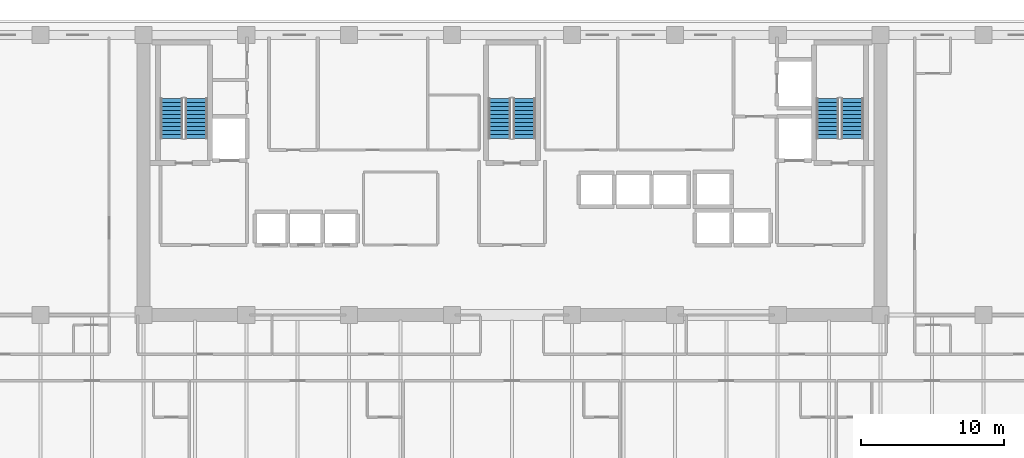
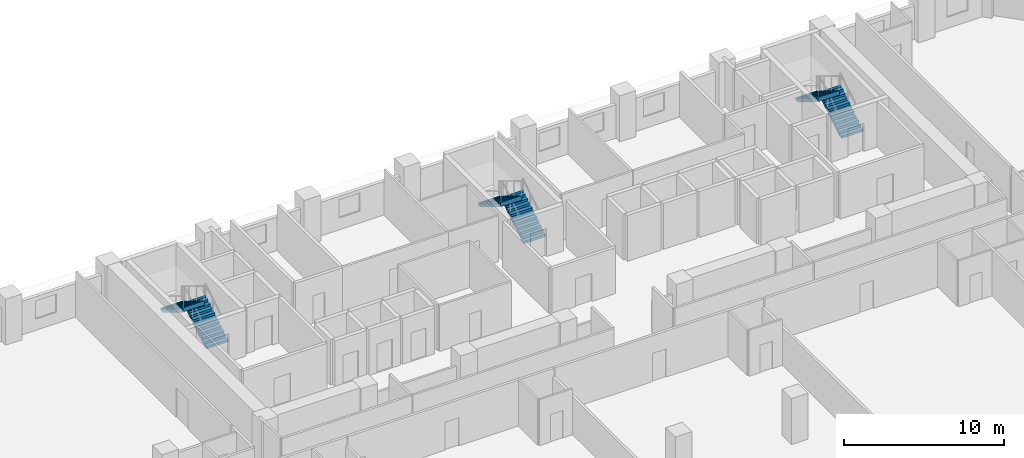
# One storey, part 10 of 14: 6 stair flights, 3 elements without a shape of their own.
"""IFC4 building model written with IfcOpenShell, lengths in metres."""

from ifc_helpers import new_model, si_unit, direction, frame, origin, place, context, subcontext, project, spatial, polyline, outline, extrude, material, type_object, element, aggregate, save


model = new_model("IFC4")

# Units and contexts
model_context = context("Model", 3, precision=1e-05, world=origin(), true_north=direction((0.0, 1.0)))
body_context = subcontext(model_context, "Body", "Model", "MODEL_VIEW")
ifc_project = project(units=[si_unit("LENGTHUNIT", "METRE"), si_unit("AREAUNIT", "SQUARE_METRE"), si_unit("VOLUMEUNIT", "CUBIC_METRE"), si_unit("PLANEANGLEUNIT", "RADIAN"), si_unit("MASSUNIT", "GRAM", prefix="KILO")], contexts=[model_context])

# Site, building, storey
site_placement = place(None, origin())
site = spatial("IfcSite", under=ifc_project, at=site_placement, CompositionType="ELEMENT")
building_placement = place(site_placement, origin())
building = spatial("IfcBuilding", under=site, at=building_placement, Name="Kaelvorn Grand Hotel", CompositionType="ELEMENT")
storey_placement = place(building_placement, frame((0.0, 0.0, 119.300048828125)))
storey = spatial("IfcBuildingStorey", under=building, at=storey_placement, Name="L28", CompositionType="ELEMENT", Elevation=119.300048828125)

# Stair, stair flights
ifc_material = material(Name="Concrete C40/50", Category="concrete")
stair_type = type_object("IfcStairType", Name="STR-DOG-1560-R06", PredefinedType="HALF_TURN_STAIR", material=ifc_material)
stair_1_placement = place(storey_placement, origin())
stair_1 = element("IfcStair", 1, at=stair_1_placement, inside=storey, type_object=stair_type, Name="L28 West Core Exit Stair ST1", PredefinedType="HALF_TURN_STAIR")
stair_flight_type = type_object("IfcStairFlightType", Name="FLG-DOG-1560-R06", PredefinedType="STRAIGHT", material=ifc_material)
stair_flight_1_placement = place(storey_placement, frame((19.89990234375, 41.760009765625, 0.0), z_axis=(0.0, 0.0, 1.0), x_axis=(0.0, 1.0, 0.0)))
stair_flight_1 = element("IfcStairFlight", 2, at=stair_flight_1_placement, type_object=stair_flight_type, Name="ST1 flight 1", NumberOfRisers=11, NumberOfTreads=10, PredefinedType="STRAIGHT", RiserHeight=0.170454545, TreadLength=0.28, context=body_context, shape_type="SweptSolid", body=[
    extrude(outline(polyline([(-0.0048828125, 0.0), (-0.0048828125, 0.0400390625), (0.0, 0.17041015625), (0.280029296875, 0.17041015625), (0.280029296875, 0.3408203125), (0.56005859375, 0.3408203125), (0.56005859375, 0.511474609375), (0.840087890625, 0.511474609375), (0.840087890625, 0.681884765625), (1.1201171875, 0.681884765625), (1.1201171875, 0.852294921875), (1.39990234375, 0.852294921875), (1.39990234375, 1.022705078125), (1.679931640625, 1.022705078125), (1.679931640625, 1.193115234375), (1.9599609375, 1.193115234375), (1.9599609375, 1.363525390625), (2.239990234375, 1.363525390625), (2.239990234375, 1.5341796875), (2.52001953125, 1.5341796875), (2.52001953125, 1.70458984375), (2.800048828125, 1.70458984375), (2.800048828125, 1.875), (2.804931640625, 1.875), (2.804931640625, 1.529052734375), (0.288330078125, 0.0), (-0.0048828125, 0.0)])), frame((0.0, 0.780029296875, 0.0), z_axis=(0.0, -1.0, 0.0), x_axis=(1.0, 0.0, 0.0)), (0.0, 0.0, 1.0), 1.56005859375),
])
stair_flight_2_placement = place(storey_placement, frame((18.179931640625, 44.56005859375, 1.875), z_axis=(0.0, 0.0, 1.0), x_axis=(0.0, -1.0, 0.0)))
stair_flight_2 = element("IfcStairFlight", 3, at=stair_flight_2_placement, type_object=stair_flight_type, Name="ST1 flight 2", NumberOfRisers=11, NumberOfTreads=10, PredefinedType="STRAIGHT", RiserHeight=0.170454545, TreadLength=0.28, context=body_context, shape_type="SweptSolid", body=[
    extrude(outline(polyline([(-0.0048828125, 0.0), (-0.0048828125, 0.0400390625), (0.0, 0.17041015625), (0.280029296875, 0.17041015625), (0.280029296875, 0.3408203125), (0.56005859375, 0.3408203125), (0.56005859375, 0.511474609375), (0.840087890625, 0.511474609375), (0.840087890625, 0.681884765625), (1.1201171875, 0.681884765625), (1.1201171875, 0.852294921875), (1.39990234375, 0.852294921875), (1.39990234375, 1.022705078125), (1.679931640625, 1.022705078125), (1.679931640625, 1.193115234375), (1.9599609375, 1.193115234375), (1.9599609375, 1.363525390625), (2.239990234375, 1.363525390625), (2.239990234375, 1.5341796875), (2.52001953125, 1.5341796875), (2.52001953125, 1.70458984375), (2.800048828125, 1.70458984375), (2.800048828125, 1.875), (2.804931640625, 1.875), (2.804931640625, 1.529052734375), (0.288330078125, 0.0), (-0.0048828125, 0.0)])), frame((0.0, 0.780029296875, 0.0), z_axis=(0.0, -1.0, 0.0), x_axis=(1.0, 0.0, 0.0)), (0.0, 0.0, 1.0), 1.56005859375),
])
aggregate(stair_1, [stair_flight_1, stair_flight_2])

stair_2_placement = place(storey_placement, origin())
stair_2 = element("IfcStair", 4, at=stair_2_placement, inside=storey, type_object=stair_type, Name="L28 Central Core Exit Stair ST2", PredefinedType="HALF_TURN_STAIR")
stair_flight_3_placement = place(storey_placement, frame((42.860107421875, 41.760009765625, 0.0), z_axis=(0.0, 0.0, 1.0), x_axis=(0.0, 1.0, 0.0)))
stair_flight_3 = element("IfcStairFlight", 5, at=stair_flight_3_placement, type_object=stair_flight_type, Name="ST2 flight 1", NumberOfRisers=11, NumberOfTreads=10, PredefinedType="STRAIGHT", RiserHeight=0.170454545, TreadLength=0.28, context=body_context, shape_type="SweptSolid", body=[
    extrude(outline(polyline([(-0.0048828125, 0.0), (-0.0048828125, 0.0400390625), (0.0, 0.17041015625), (0.280029296875, 0.17041015625), (0.280029296875, 0.3408203125), (0.56005859375, 0.3408203125), (0.56005859375, 0.511474609375), (0.840087890625, 0.511474609375), (0.840087890625, 0.681884765625), (1.1201171875, 0.681884765625), (1.1201171875, 0.852294921875), (1.39990234375, 0.852294921875), (1.39990234375, 1.022705078125), (1.679931640625, 1.022705078125), (1.679931640625, 1.193115234375), (1.9599609375, 1.193115234375), (1.9599609375, 1.363525390625), (2.239990234375, 1.363525390625), (2.239990234375, 1.5341796875), (2.52001953125, 1.5341796875), (2.52001953125, 1.70458984375), (2.800048828125, 1.70458984375), (2.800048828125, 1.875), (2.804931640625, 1.875), (2.804931640625, 1.529052734375), (0.288330078125, 0.0), (-0.0048828125, 0.0)])), frame((0.0, 0.780029296875, 0.0), z_axis=(0.0, -1.0, 0.0), x_axis=(1.0, 0.0, 0.0)), (0.0, 0.0, 1.0), 1.56005859375),
])
stair_flight_4_placement = place(storey_placement, frame((41.139892578125, 44.56005859375, 1.875), z_axis=(0.0, 0.0, 1.0), x_axis=(0.0, -1.0, 0.0)))
stair_flight_4 = element("IfcStairFlight", 6, at=stair_flight_4_placement, type_object=stair_flight_type, Name="ST2 flight 2", NumberOfRisers=11, NumberOfTreads=10, PredefinedType="STRAIGHT", RiserHeight=0.170454545, TreadLength=0.28, context=body_context, shape_type="SweptSolid", body=[
    extrude(outline(polyline([(-0.0048828125, 0.0), (-0.0048828125, 0.0400390625), (0.0, 0.17041015625), (0.280029296875, 0.17041015625), (0.280029296875, 0.3408203125), (0.56005859375, 0.3408203125), (0.56005859375, 0.511474609375), (0.840087890625, 0.511474609375), (0.840087890625, 0.681884765625), (1.1201171875, 0.681884765625), (1.1201171875, 0.852294921875), (1.39990234375, 0.852294921875), (1.39990234375, 1.022705078125), (1.679931640625, 1.022705078125), (1.679931640625, 1.193115234375), (1.9599609375, 1.193115234375), (1.9599609375, 1.363525390625), (2.239990234375, 1.363525390625), (2.239990234375, 1.5341796875), (2.52001953125, 1.5341796875), (2.52001953125, 1.70458984375), (2.800048828125, 1.70458984375), (2.800048828125, 1.875), (2.804931640625, 1.875), (2.804931640625, 1.529052734375), (0.288330078125, 0.0), (-0.0048828125, 0.0)])), frame((0.0, 0.780029296875, 0.0), z_axis=(0.0, -1.0, 0.0), x_axis=(1.0, 0.0, 0.0)), (0.0, 0.0, 1.0), 1.56005859375),
])
aggregate(stair_2, [stair_flight_3, stair_flight_4])

stair_3_placement = place(storey_placement, origin())
stair_3 = element("IfcStair", 7, at=stair_3_placement, inside=storey, type_object=stair_type, Name="L28 East Core Exit Stair ST3", PredefinedType="HALF_TURN_STAIR")
stair_flight_5_placement = place(storey_placement, frame((65.820068359375, 41.760009765625, 0.0), z_axis=(0.0, 0.0, 1.0), x_axis=(0.0, 1.0, 0.0)))
stair_flight_5 = element("IfcStairFlight", 8, at=stair_flight_5_placement, type_object=stair_flight_type, Name="ST3 flight 1", NumberOfRisers=11, NumberOfTreads=10, PredefinedType="STRAIGHT", RiserHeight=0.170454545, TreadLength=0.28, context=body_context, shape_type="SweptSolid", body=[
    extrude(outline(polyline([(-0.0048828125, 0.0), (-0.0048828125, 0.0400390625), (0.0, 0.17041015625), (0.280029296875, 0.17041015625), (0.280029296875, 0.3408203125), (0.56005859375, 0.3408203125), (0.56005859375, 0.511474609375), (0.840087890625, 0.511474609375), (0.840087890625, 0.681884765625), (1.1201171875, 0.681884765625), (1.1201171875, 0.852294921875), (1.39990234375, 0.852294921875), (1.39990234375, 1.022705078125), (1.679931640625, 1.022705078125), (1.679931640625, 1.193115234375), (1.9599609375, 1.193115234375), (1.9599609375, 1.363525390625), (2.239990234375, 1.363525390625), (2.239990234375, 1.5341796875), (2.52001953125, 1.5341796875), (2.52001953125, 1.70458984375), (2.800048828125, 1.70458984375), (2.800048828125, 1.875), (2.804931640625, 1.875), (2.804931640625, 1.529052734375), (0.288330078125, 0.0), (-0.0048828125, 0.0)])), frame((0.0, 0.780029296875, 0.0), z_axis=(0.0, -1.0, 0.0), x_axis=(1.0, 0.0, 0.0)), (0.0, 0.0, 1.0), 1.56005859375),
])
stair_flight_6_placement = place(storey_placement, frame((64.10009765625, 44.56005859375, 1.875), z_axis=(0.0, 0.0, 1.0), x_axis=(0.0, -1.0, 0.0)))
stair_flight_6 = element("IfcStairFlight", 9, at=stair_flight_6_placement, type_object=stair_flight_type, Name="ST3 flight 2", NumberOfRisers=11, NumberOfTreads=10, PredefinedType="STRAIGHT", RiserHeight=0.170454545, TreadLength=0.28, context=body_context, shape_type="SweptSolid", body=[
    extrude(outline(polyline([(-0.0048828125, 0.0), (-0.0048828125, 0.0400390625), (0.0, 0.17041015625), (0.280029296875, 0.17041015625), (0.280029296875, 0.3408203125), (0.56005859375, 0.3408203125), (0.56005859375, 0.511474609375), (0.840087890625, 0.511474609375), (0.840087890625, 0.681884765625), (1.1201171875, 0.681884765625), (1.1201171875, 0.852294921875), (1.39990234375, 0.852294921875), (1.39990234375, 1.022705078125), (1.679931640625, 1.022705078125), (1.679931640625, 1.193115234375), (1.9599609375, 1.193115234375), (1.9599609375, 1.363525390625), (2.239990234375, 1.363525390625), (2.239990234375, 1.5341796875), (2.52001953125, 1.5341796875), (2.52001953125, 1.70458984375), (2.800048828125, 1.70458984375), (2.800048828125, 1.875), (2.804931640625, 1.875), (2.804931640625, 1.529052734375), (0.288330078125, 0.0), (-0.0048828125, 0.0)])), frame((0.0, 0.780029296875, 0.0), z_axis=(0.0, -1.0, 0.0), x_axis=(1.0, 0.0, 0.0)), (0.0, 0.0, 1.0), 1.56005859375),
])
aggregate(stair_3, [stair_flight_5, stair_flight_6])

save(model, "model.ifc")
